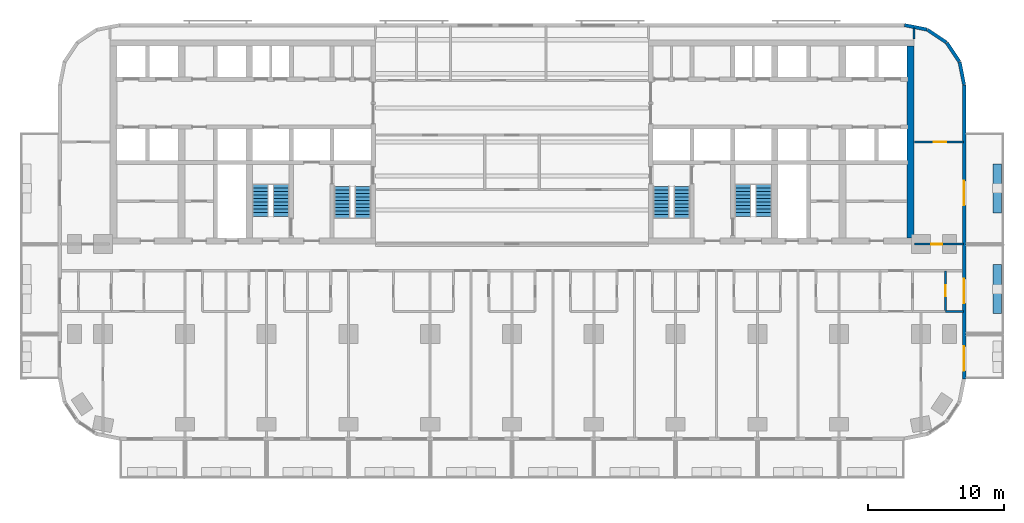
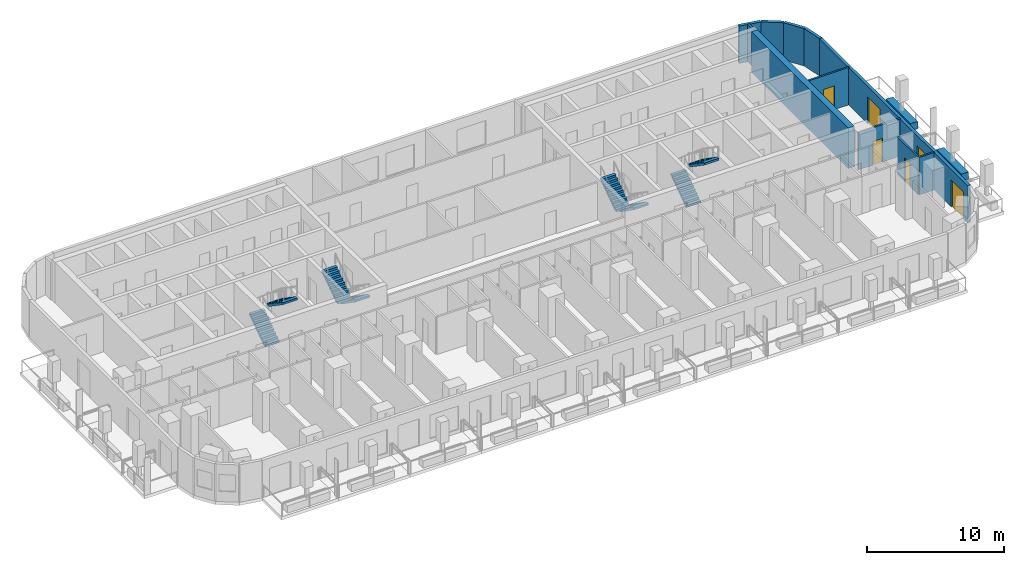
# One storey, part 10 of 15: 13 walls, 8 stair flights, 6 doors, 6 openings, 4 elements without a shape of their own.
"""IFC4 building model written with IfcOpenShell, lengths in metres."""

from ifc_helpers import new_model, si_unit, direction, frame, frame_2d, origin, place, context, subcontext, project, spatial, polyline, rectangle, outline, extrude, material, layer, layer_set, type_object, element, fill, aggregate, save


model = new_model("IFC4")

# Units and contexts
model_context = context("Model", 3, precision=1e-05, world=origin(), true_north=direction((0.0, 1.0)))
body_context = subcontext(model_context, "Body", "Model", "MODEL_VIEW")
ifc_project = project(units=[si_unit("LENGTHUNIT", "METRE"), si_unit("AREAUNIT", "SQUARE_METRE"), si_unit("VOLUMEUNIT", "CUBIC_METRE"), si_unit("PLANEANGLEUNIT", "RADIAN"), si_unit("MASSUNIT", "GRAM", prefix="KILO")], contexts=[model_context])

# Site, building, storey
site_placement = place(None, origin())
site = spatial("IfcSite", under=ifc_project, at=site_placement, CompositionType="ELEMENT")
building_placement = place(site_placement, origin())
building = spatial("IfcBuilding", under=site, at=building_placement, Name="Torana Hotel and Residences", CompositionType="ELEMENT")
storey_placement = place(building_placement, frame((0.0, 0.0, 27.60009765625)))
storey = spatial("IfcBuildingStorey", under=building, at=storey_placement, Name="L05", CompositionType="ELEMENT", Elevation=27.60009765625)

# Walls
ifc_material_1 = material(Name="Concrete C80/95", Category="concrete")
ifc_layer_1 = layer(ifc_material_1, 0.5)
ifc_layer_set_1 = layer_set([ifc_layer_1], Name="CORE WALL 500 C80/95")
wall_type_1 = type_object("IfcWallType", Name="CORE WALL 500 C80/95", PredefinedType="SHEAR", material=ifc_layer_set_1)
wall_1_placement = place(storey_placement, frame((29.25, -14.550048828125, 0.0), z_axis=(0.0, 0.0, 1.0), x_axis=(0.0, 1.0, 0.0)))
element("IfcWall", 1, at=wall_1_placement, inside=storey, type_object=wall_type_1, Name="Core wall E outer", PredefinedType="SHEAR", context=body_context, shape_type="SweptSolid", body=[
    extrude(rectangle(XDim=14.10009765625, YDim=0.5, at=frame_2d((7.050048828125, 0.0))), origin(), (0.0, 0.0, 1.0), 3.599853515625),
])
ifc_material_2 = material(Name="Black aluminium composite panel", Category="aluminium")
ifc_layer_2 = layer(ifc_material_2, 0.00390625, Name="Cladding", Category="cladding")
ifc_material_3 = material(Name="Ventilated air cavity")
ifc_layer_3 = layer(ifc_material_3, 0.0400390625, Name="Ventilated cavity", Category="cavity")
ifc_material_4 = material(Name="Mineral wool insulation")
ifc_layer_4 = layer(ifc_material_4, 0.090087890625, Name="Insulation", Category="insulation")
ifc_material_5 = material(Name="Steel S280GD", Category="steel")
ifc_layer_5 = layer(ifc_material_5, 0.092041015625, Name="Steel stud frame", Category="structure")
ifc_material_6 = material(Name="Fire rated plasterboard")
ifc_layer_6 = layer(ifc_material_6, 0.011962890625, Name="Inner board", Category="finish")
ifc_layer_7 = layer(ifc_material_6, 0.011962890625, Name="Second board", Category="finish")
ifc_layer_set_2 = layer_set([ifc_layer_2, ifc_layer_3, ifc_layer_4, ifc_layer_5, ifc_layer_6, ifc_layer_7], Name="EW1 EXTERNAL WALL BLACK METAL CLAD 250")
wall_type_2 = type_object("IfcWallType", Name="EW1 EXTERNAL WALL BLACK METAL CLAD 250", PredefinedType="SOLIDWALL", material=ifc_layer_set_2)
wall_2_placement = place(storey_placement, frame((33.172607421875, -3.30029296875, 0.0), z_axis=(0.0, 0.0, 1.0), x_axis=(-0.19513878023, 0.980775640221, 0.0)))
element("IfcWall", 2, at=wall_2_placement, inside=storey, type_object=wall_type_2, Name="External wall L05 e0.0", PredefinedType="SOLIDWALL", context=body_context, shape_type="SweptSolid", body=[
    extrude(rectangle(XDim=1.681396484375, YDim=0.25, at=frame_2d((0.8408203125, 0.0))), origin(), (0.0, 0.0, 1.0), 3.31982421875),
])
for number, where, z_axis, x_axis, name in (
    (3, (32.825927734375, -1.60595703125, 0.0), (0.0, 0.0, 1.0), (-0.55555029066, 0.831482937015, 0.0), "External wall L05 e0.1"),
    (4, (31.87109375, -0.1943359375, 0.0), (0.0, 0.0, 1.0), (-0.831482937015, 0.55555029066, 0.0), "External wall L05 e0.2"),
):
    element("IfcWall", number, at=place(storey_placement, frame(where, z_axis=z_axis, x_axis=x_axis)), inside=storey, type_object=wall_type_2, Name=name, PredefinedType="SOLIDWALL", context=body_context, shape_type="SweptSolid", body=[
        extrude(rectangle(XDim=1.65625, YDim=0.25, at=frame_2d((0.828125, 0.0))), origin(), (0.0, 0.0, 1.0), 3.31982421875),
    ])
wall_3_placement = place(storey_placement, frame((30.448974609375, 0.74462890625, 0.0), z_axis=(0.0, 0.0, 1.0), x_axis=(-0.980803419081, 0.194999110559, 0.0)))
element("IfcWall", 5, at=wall_3_placement, inside=storey, type_object=wall_type_2, Name="External wall L05 e0.3", PredefinedType="SOLIDWALL", context=body_context, shape_type="SweptSolid", body=[
    extrude(rectangle(XDim=1.681396484375, YDim=0.25, at=frame_2d((0.8408203125, 0.0))), origin(), (0.0, 0.0, 1.0), 3.31982421875),
])

# Wall, openings, doors
wall_4_placement = place(storey_placement, frame((33.175048828125, -24.87548828125, 0.0), z_axis=(0.0, 0.0, 1.0), x_axis=(0.0, 1.0, 0.0)))
wall_4 = element("IfcWall", 6, at=wall_4_placement, inside=storey, type_object=wall_type_2, Name="External wall L05 e0.19", PredefinedType="SOLIDWALL", context=body_context, shape_type="SweptSolid", body=[
    extrude(rectangle(XDim=21.55078125, YDim=0.25, at=frame_2d((10.775390625, 0.0))), origin(), (0.0, 0.0, 1.0), 3.31982421875),
])
opening_1_placement = place(wall_4_placement, frame((0.575439453125, 0.0, 0.0)))
opening_1 = element("IfcOpeningElement", 7, at=opening_1_placement, cuts=wall_4, Name="Opening L05-E11", PredefinedType="OPENING", context=body_context, shape_type="SweptSolid", body=[
    extrude(rectangle(XDim=1.800048828125, YDim=2.39990234375, at=frame_2d((0.89990234375, 1.199951171875))), frame((0.0, 0.135009765625, 0.0), z_axis=(0.0, -1.0, 0.0), x_axis=(1.0, 0.0, 0.0)), (0.0, 0.0, 1.0), 0.27001953125),
])
opening_2_placement = place(wall_4_placement, frame((5.525390625, 0.0, 0.0)))
opening_2 = element("IfcOpeningElement", 8, at=opening_2_placement, cuts=wall_4, Name="Opening L05-E12", PredefinedType="OPENING", context=body_context, shape_type="SweptSolid", body=[
    extrude(rectangle(XDim=1.800048828125, YDim=2.39990234375, at=frame_2d((0.89990234375, 1.199951171875))), frame((0.0, 0.135009765625, 0.0), z_axis=(0.0, -1.0, 0.0), x_axis=(1.0, 0.0, 0.0)), (0.0, 0.0, 1.0), 0.27001953125),
])
opening_3_placement = place(wall_4_placement, frame((12.725341796875, 0.0, 0.0)))
opening_3 = element("IfcOpeningElement", 9, at=opening_3_placement, cuts=wall_4, Name="Opening L05-E13", PredefinedType="OPENING", context=body_context, shape_type="SweptSolid", body=[
    extrude(rectangle(XDim=1.800048828125, YDim=2.39990234375, at=frame_2d((0.89990234375, 1.199951171875))), frame((0.0, 0.135009765625, 0.0), z_axis=(0.0, -1.0, 0.0), x_axis=(1.0, 0.0, 0.0)), (0.0, 0.0, 1.0), 0.27001953125),
])
ifc_material_7 = material(Name="Dark glass in black aluminium frame", Category="aluminium")
door_type_1 = type_object("IfcDoorType", Name="DB1 BALCONY DOOR 1800x2400", OperationType="DOUBLE_DOOR_SINGLE_SWING", PredefinedType="DOOR", material=ifc_material_7)
door_1_placement = place(opening_1_placement, origin())
door_1 = element("IfcDoor", 10, at=door_1_placement, inside=storey, type_object=door_type_1, Name="Balcony door L05", OperationType="DOUBLE_DOOR_SINGLE_SWING", OverallHeight=2.39990234375, OverallWidth=1.800048828125, PredefinedType="DOOR", context=body_context, shape_type="SweptSolid", body=[
    extrude(rectangle(XDim=1.800048828125, YDim=2.39990234375, at=frame_2d((0.89990234375, 1.199951171875))), frame((0.0, 0.02490234375, 0.0), z_axis=(0.0, -1.0, 0.0), x_axis=(1.0, 0.0, 0.0)), (0.0, 0.0, 1.0), 0.050048828125),
])
fill(opening_1, door_1)
door_2_placement = place(opening_2_placement, origin())
door_2 = element("IfcDoor", 11, at=door_2_placement, inside=storey, type_object=door_type_1, Name="Balcony door L05", OperationType="DOUBLE_DOOR_SINGLE_SWING", OverallHeight=2.39990234375, OverallWidth=1.800048828125, PredefinedType="DOOR", context=body_context, shape_type="SweptSolid", body=[
    extrude(rectangle(XDim=1.800048828125, YDim=2.39990234375, at=frame_2d((0.89990234375, 1.199951171875))), frame((0.0, 0.02490234375, 0.0), z_axis=(0.0, -1.0, 0.0), x_axis=(1.0, 0.0, 0.0)), (0.0, 0.0, 1.0), 0.050048828125),
])
fill(opening_2, door_2)
door_3_placement = place(opening_3_placement, origin())
door_3 = element("IfcDoor", 12, at=door_3_placement, inside=storey, type_object=door_type_1, Name="Balcony door L05", OperationType="DOUBLE_DOOR_SINGLE_SWING", OverallHeight=2.39990234375, OverallWidth=1.800048828125, PredefinedType="DOOR", context=body_context, shape_type="SweptSolid", body=[
    extrude(rectangle(XDim=1.800048828125, YDim=2.39990234375, at=frame_2d((0.89990234375, 1.199951171875))), frame((0.0, 0.02490234375, 0.0), z_axis=(0.0, -1.0, 0.0), x_axis=(1.0, 0.0, 0.0)), (0.0, 0.0, 1.0), 0.050048828125),
])
fill(opening_3, door_3)

# Wall, opening, door
ifc_material_8 = material(Name="Gypsum plaster")
ifc_layer_8 = layer(ifc_material_8, 0.014892578125, Name="Plaster", Category="finish")
ifc_material_9 = material(Name="Concrete blockwork", Category="masonry")
ifc_layer_9 = layer(ifc_material_9, 0.1201171875, Name="Blockwork", Category="structure")
ifc_layer_10 = layer(ifc_material_8, 0.014892578125, Name="Plaster", Category="finish")
ifc_layer_set_3 = layer_set([ifc_layer_8, ifc_layer_9, ifc_layer_10], Name="FIRE PARTITION 150 BLOCKWORK")
wall_type_3 = type_object("IfcWallType", Name="FIRE PARTITION 150 BLOCKWORK", PredefinedType="PARTITIONING", material=ifc_layer_set_3)
wall_5_placement = place(storey_placement, frame((29.550048828125, -15.0, 0.0), z_axis=(0.0, 0.0, 1.0), x_axis=(1.0, 0.0, 0.0)))
wall_5 = element("IfcWall", 13, at=wall_5_placement, inside=storey, type_object=wall_type_3, Name="Partition L05", PredefinedType="PARTITIONING", context=body_context, shape_type="SweptSolid", body=[
    extrude(rectangle(XDim=3.570068359375, YDim=0.14990234375, at=frame_2d((1.78515625, 0.0))), origin(), (0.0, 0.0, 1.0), 3.31982421875),
])
opening_4_placement = place(wall_5_placement, frame((1.205078125, 0.0, 0.0)))
opening_4 = element("IfcOpeningElement", 14, at=opening_4_placement, cuts=wall_5, Name="Opening L05-58", PredefinedType="OPENING", context=body_context, shape_type="SweptSolid", body=[
    extrude(rectangle(XDim=0.800048828125, YDim=2.10009765625, at=frame_2d((0.39990234375, 1.050048828125))), frame((0.0, 0.0849609375, 0.0), z_axis=(0.0, -1.0, 0.0), x_axis=(1.0, 0.0, 0.0)), (0.0, 0.0, 1.0), 0.169921875),
])
ifc_material_10 = material(Name="Steel S235", Category="steel")
door_type_2 = type_object("IfcDoorType", Name="STORE FIRE DOOR D16 800x2100", OperationType="SINGLE_SWING_LEFT", PredefinedType="DOOR", material=ifc_material_10)
door_4_placement = place(opening_4_placement, origin())
door_4 = element("IfcDoor", 15, at=door_4_placement, inside=storey, type_object=door_type_2, Name="Door L05", OperationType="SINGLE_SWING_RIGHT", OverallHeight=2.10009765625, OverallWidth=0.800048828125, PredefinedType="DOOR", context=body_context, shape_type="SweptSolid", body=[
    extrude(rectangle(XDim=0.800048828125, YDim=2.10009765625, at=frame_2d((0.39990234375, 1.050048828125))), frame((0.0, 0.02490234375, 0.0), z_axis=(0.0, -1.0, 0.0), x_axis=(1.0, 0.0, 0.0)), (0.0, 0.0, 1.0), 0.050048828125),
])
fill(opening_4, door_4)

# Walls
ifc_material_11 = material(Name="Gypsum plasterboard")
ifc_layer_11 = layer(ifc_material_11, 0.012451171875, Name="Plasterboard", Category="finish")
ifc_layer_12 = layer(ifc_material_11, 0.012451171875, Name="Plasterboard", Category="finish")
ifc_layer_13 = layer(ifc_material_5, 0.10009765625, Name="Steel studs with mineral wool", Category="insulation")
ifc_layer_14 = layer(ifc_material_11, 0.012451171875, Name="Plasterboard", Category="finish")
ifc_layer_15 = layer(ifc_material_11, 0.012451171875, Name="Plasterboard", Category="finish")
ifc_layer_set_4 = layer_set([ifc_layer_11, ifc_layer_12, ifc_layer_13, ifc_layer_14, ifc_layer_15], Name="PARTITION 150 PLASTERBOARD")
wall_type_4 = type_object("IfcWallType", Name="PARTITION 150 PLASTERBOARD", PredefinedType="PARTITIONING", material=ifc_layer_set_4)
wall_6_placement = place(storey_placement, frame((29.5, 0.050048828125, 0.0), z_axis=(0.0, 0.0, 1.0), x_axis=(0.0, 1.0, 0.0)))
element("IfcWall", 16, at=wall_6_placement, inside=storey, type_object=wall_type_4, Name="Partition L05", PredefinedType="PARTITIONING", context=body_context, shape_type="SweptSolid", body=[
    extrude(rectangle(XDim=0.8271484375, YDim=0.14990234375, at=frame_2d((0.41357421875, 0.0))), origin(), (0.0, 0.0, 1.0), 3.31982421875),
])
ifc_material_12 = material(Name="Concrete C40/50 precast", Category="concrete")
ifc_layer_16 = layer(ifc_material_12, 0.10009765625, Name="Planter shell", Category="structure")
ifc_material_13 = material(Name="Root resistant membrane")
ifc_layer_17 = layer(ifc_material_13, 0.00390625, Name="Waterproofing membrane", Category="membrane")
ifc_material_14 = material(Name="Drainage board with filter fleece")
ifc_layer_18 = layer(ifc_material_14, 0.02001953125, Name="Drainage board", Category="drainage")
ifc_material_15 = material(Name="Growing medium")
ifc_layer_19 = layer(ifc_material_15, 0.47607421875, Name="Planting substrate", Category="soil")
ifc_layer_set_5 = layer_set([ifc_layer_16, ifc_layer_17, ifc_layer_18, ifc_layer_19], Name="PL1 BALCONY PLANTER 600")
wall_type_5 = type_object("IfcWallType", Name="PL1 BALCONY PLANTER 600", PredefinedType="USERDEFINED", material=ifc_layer_set_5)
wall_7_placement = place(storey_placement, frame((35.60009765625, -16.5, 0.0), z_axis=(0.0, 0.0, 1.0), x_axis=(0.0, -1.0, 0.0)))
element("IfcWall", 17, at=wall_7_placement, inside=storey, type_object=wall_type_5, Name="Planter 15", ObjectType="PLANTER", PredefinedType="USERDEFINED", context=body_context, shape_type="SweptSolid", body=[
    extrude(rectangle(XDim=3.60009765625, YDim=0.60009765625, at=frame_2d((1.800048828125, 0.0))), origin(), (0.0, 0.0, 1.0), 0.64990234375),
])
wall_8_placement = place(storey_placement, frame((35.60009765625, -9.10009765625, 0.0), z_axis=(0.0, 0.0, 1.0), x_axis=(0.0, -1.0, 0.0)))
element("IfcWall", 18, at=wall_8_placement, inside=storey, type_object=wall_type_5, Name="Planter 16", ObjectType="PLANTER", PredefinedType="USERDEFINED", context=body_context, shape_type="SweptSolid", body=[
    extrude(rectangle(XDim=3.599853515625, YDim=0.60009765625, at=frame_2d((1.7998046875, 0.0))), origin(), (0.0, 0.0, 1.0), 0.64990234375),
])

# Wall, opening, door
ifc_material_16 = material(Name="Ceramic tile on adhesive")
ifc_layer_20 = layer(ifc_material_16, 0.010009765625, Name="Wall tile", Category="finish")
ifc_material_17 = material(Name="Cement render")
ifc_layer_21 = layer(ifc_material_17, 0.010009765625, Name="Render", Category="finish")
ifc_layer_22 = layer(ifc_material_9, 0.110107421875, Name="Blockwork", Category="structure")
ifc_layer_23 = layer(ifc_material_17, 0.010009765625, Name="Render", Category="finish")
ifc_layer_24 = layer(ifc_material_16, 0.010009765625, Name="Wall tile", Category="finish")
ifc_layer_set_6 = layer_set([ifc_layer_20, ifc_layer_21, ifc_layer_22, ifc_layer_23, ifc_layer_24], Name="WC PARTITION 150")
wall_type_6 = type_object("IfcWallType", Name="WC PARTITION 150", PredefinedType="PLUMBINGWALL", material=ifc_layer_set_6)
wall_9_placement = place(storey_placement, frame((31.800048828125, -19.949951171875, 0.0), z_axis=(0.0, 0.0, 1.0), x_axis=(0.0, 1.0, 0.0)))
wall_9 = element("IfcWall", 19, at=wall_9_placement, inside=storey, type_object=wall_type_6, Name="Partition L05", PredefinedType="PLUMBINGWALL", context=body_context, shape_type="SweptSolid", body=[
    extrude(rectangle(XDim=3.0, YDim=0.14990234375, at=frame_2d((1.5, 0.0))), origin(), (0.0, 0.0, 1.0), 3.31982421875),
])
opening_5_placement = place(wall_9_placement, frame((1.1201171875, 0.0, 0.0)))
opening_5 = element("IfcOpeningElement", 20, at=opening_5_placement, cuts=wall_9, Name="Opening L05-90", PredefinedType="OPENING", context=body_context, shape_type="SweptSolid", body=[
    extrude(rectangle(XDim=0.800048828125, YDim=2.10009765625, at=frame_2d((0.39990234375, 1.050048828125))), frame((0.0, 0.0849609375, 0.0), z_axis=(0.0, -1.0, 0.0), x_axis=(1.0, 0.0, 0.0)), (0.0, 0.0, 1.0), 0.169921875),
])
ifc_material_18 = material(Name="Timber door, painted", Category="wood")
door_type_3 = type_object("IfcDoorType", Name="BATH DOOR D13 800x2100", OperationType="SINGLE_SWING_LEFT", PredefinedType="DOOR", material=ifc_material_18)
door_5_placement = place(opening_5_placement, origin())
door_5 = element("IfcDoor", 21, at=door_5_placement, inside=storey, type_object=door_type_3, Name="Door L05", OperationType="SINGLE_SWING_RIGHT", OverallHeight=2.10009765625, OverallWidth=0.800048828125, PredefinedType="DOOR", context=body_context, shape_type="SweptSolid", body=[
    extrude(rectangle(XDim=0.800048828125, YDim=2.10009765625, at=frame_2d((0.39990234375, 1.050048828125))), frame((0.0, 0.02490234375, 0.0), z_axis=(0.0, -1.0, 0.0), x_axis=(1.0, 0.0, 0.0)), (0.0, 0.0, 1.0), 0.050048828125),
])
fill(opening_5, door_5)

# Wall
wall_10_placement = place(storey_placement, frame((31.800048828125, -19.949951171875, 0.0), z_axis=(0.0, 0.0, 1.0), x_axis=(1.0, 0.0, 0.0)))
element("IfcWall", 22, at=wall_10_placement, inside=storey, type_object=wall_type_6, Name="Partition L05", PredefinedType="PLUMBINGWALL", context=body_context, shape_type="SweptSolid", body=[
    extrude(rectangle(XDim=1.320068359375, YDim=0.14990234375, at=frame_2d((0.66015625, 0.0))), origin(), (0.0, 0.0, 1.0), 3.31982421875),
])

# Wall, opening, door
wall_11_placement = place(storey_placement, frame((29.550048828125, -7.5, 0.0), z_axis=(0.0, 0.0, 1.0), x_axis=(1.0, 0.0, 0.0)))
wall_11 = element("IfcWall", 23, at=wall_11_placement, inside=storey, type_object=wall_type_6, Name="Partition L05", PredefinedType="PLUMBINGWALL", context=body_context, shape_type="SweptSolid", body=[
    extrude(rectangle(XDim=3.570068359375, YDim=0.14990234375, at=frame_2d((1.78515625, 0.0))), origin(), (0.0, 0.0, 1.0), 3.31982421875),
])
opening_6_placement = place(wall_11_placement, frame((1.39990234375, 0.0, 0.0)))
opening_6 = element("IfcOpeningElement", 24, at=opening_6_placement, cuts=wall_11, Name="Opening L05-93", PredefinedType="OPENING", context=body_context, shape_type="SweptSolid", body=[
    extrude(rectangle(XDim=0.89990234375, YDim=2.10009765625, at=frame_2d((0.449951171875, 1.050048828125))), frame((0.0, 0.0849609375, 0.0), z_axis=(0.0, -1.0, 0.0), x_axis=(1.0, 0.0, 0.0)), (0.0, 0.0, 1.0), 0.169921875),
])
ifc_material_19 = material(Name="Timber door, oiled ash", Category="wood")
door_type_4 = type_object("IfcDoorType", Name="ROOM DOOR D7 900x2100", OperationType="SINGLE_SWING_LEFT", PredefinedType="DOOR", material=ifc_material_19)
door_6_placement = place(opening_6_placement, origin())
door_6 = element("IfcDoor", 25, at=door_6_placement, inside=storey, type_object=door_type_4, Name="Door L05", OperationType="SINGLE_SWING_LEFT", OverallHeight=2.10009765625, OverallWidth=0.89990234375, PredefinedType="DOOR", context=body_context, shape_type="SweptSolid", body=[
    extrude(rectangle(XDim=0.89990234375, YDim=2.10009765625, at=frame_2d((0.449951171875, 1.050048828125))), frame((0.0, 0.02490234375, 0.0), z_axis=(0.0, -1.0, 0.0), x_axis=(1.0, 0.0, 0.0)), (0.0, 0.0, 1.0), 0.050048828125),
])
fill(opening_6, door_6)

# Stair, stair flights
ifc_material_20 = material(Name="Concrete C40/50 precast", Category="concrete")
stair_type_1 = type_object("IfcStairType", Name="STAIR ST1 HALF TURN 1200", PredefinedType="HALF_TURN_STAIR", material=ifc_material_20)
stair_1_placement = place(storey_placement, origin())
stair_1 = element("IfcStair", 26, at=stair_1_placement, inside=storey, type_object=stair_type_1, Name="Stair ST1 L05", PredefinedType="HALF_TURN_STAIR")
ifc_material_21 = material(Name="Concrete C40/50 precast", Category="concrete")
stair_flight_type = type_object("IfcStairFlightType", Name="STAIR FLIGHT 1200 PRECAST", PredefinedType="STRAIGHT", material=ifc_material_21)
stair_flight_1_placement = place(storey_placement, frame((-10.949951171875, -10.75, 0.0), z_axis=(0.0, 0.0, 1.0), x_axis=(0.0, -1.0, 0.0)))
stair_flight_1 = element("IfcStairFlight", 27, at=stair_flight_1_placement, type_object=stair_flight_type, Name="ST1 flight 1", NumberOfRisers=10, NumberOfTreads=9, PredefinedType="STRAIGHT", RiserHeight=0.18, TreadLength=0.26, context=body_context, shape_type="SweptSolid", body=[
    extrude(outline(polyline([(0.0, 0.0), (0.0, 0.179931640625), (0.260009765625, 0.179931640625), (0.260009765625, 0.360107421875), (0.52001953125, 0.360107421875), (0.52001953125, 0.5400390625), (0.780029296875, 0.5400390625), (0.780029296875, 0.719970703125), (1.0400390625, 0.719970703125), (1.0400390625, 0.89990234375), (1.300048828125, 0.89990234375), (1.300048828125, 1.080078125), (1.56005859375, 1.080078125), (1.56005859375, 1.260009765625), (1.820068359375, 1.260009765625), (1.820068359375, 1.43994140625), (2.080078125, 1.43994140625), (2.080078125, 1.6201171875), (2.340087890625, 1.6201171875), (2.340087890625, 1.800048828125), (2.340087890625, 1.437744140625), (0.263427734375, 0.0), (0.0, 0.0)])), frame((0.0, 0.60009765625, 0.0), z_axis=(0.0, -1.0, 0.0), x_axis=(1.0, 0.0, 0.0)), (0.0, 0.0, 1.0), 1.199951171875),
])
stair_flight_2_placement = place(storey_placement, frame((-12.449951171875, -13.090087890625, 1.7998046875), z_axis=(0.0, 0.0, 1.0), x_axis=(0.0, 1.0, 0.0)))
stair_flight_2 = element("IfcStairFlight", 28, at=stair_flight_2_placement, type_object=stair_flight_type, Name="ST1 flight 2", NumberOfRisers=10, NumberOfTreads=9, PredefinedType="STRAIGHT", RiserHeight=0.18, TreadLength=0.26, context=body_context, shape_type="SweptSolid", body=[
    extrude(outline(polyline([(0.0, 0.0), (0.0, 0.179931640625), (0.260009765625, 0.179931640625), (0.260009765625, 0.360107421875), (0.52001953125, 0.360107421875), (0.52001953125, 0.5400390625), (0.780029296875, 0.5400390625), (0.780029296875, 0.719970703125), (1.0400390625, 0.719970703125), (1.0400390625, 0.89990234375), (1.300048828125, 0.89990234375), (1.300048828125, 1.080078125), (1.56005859375, 1.080078125), (1.56005859375, 1.260009765625), (1.820068359375, 1.260009765625), (1.820068359375, 1.43994140625), (2.080078125, 1.43994140625), (2.080078125, 1.6201171875), (2.340087890625, 1.6201171875), (2.340087890625, 1.800048828125), (2.340087890625, 1.437744140625), (0.263427734375, 0.0), (0.0, 0.0)])), frame((0.0, 0.60009765625, 0.0), z_axis=(0.0, -1.0, 0.0), x_axis=(1.0, 0.0, 0.0)), (0.0, 0.0, 1.0), 1.199951171875),
])
aggregate(stair_1, [stair_flight_1, stair_flight_2])

ifc_material_22 = material(Name="Concrete C40/50 precast", Category="concrete")
stair_type_2 = type_object("IfcStairType", Name="STAIR ST2 HALF TURN 1200", PredefinedType="HALF_TURN_STAIR", material=ifc_material_22)
stair_2_placement = place(storey_placement, origin())
stair_2 = element("IfcStair", 29, at=stair_2_placement, inside=storey, type_object=stair_type_2, Name="Stair ST2 L05", PredefinedType="HALF_TURN_STAIR")
stair_flight_3_placement = place(storey_placement, frame((-18.449951171875, -12.949951171875, 0.0), z_axis=(0.0, 0.0, 1.0), x_axis=(0.0, 1.0, 0.0)))
stair_flight_3 = element("IfcStairFlight", 30, at=stair_flight_3_placement, type_object=stair_flight_type, Name="ST2 flight 1", NumberOfRisers=10, NumberOfTreads=9, PredefinedType="STRAIGHT", RiserHeight=0.18, TreadLength=0.26, context=body_context, shape_type="SweptSolid", body=[
    extrude(outline(polyline([(0.0, 0.0), (0.0, 0.179931640625), (0.260009765625, 0.179931640625), (0.260009765625, 0.360107421875), (0.52001953125, 0.360107421875), (0.52001953125, 0.5400390625), (0.780029296875, 0.5400390625), (0.780029296875, 0.719970703125), (1.0400390625, 0.719970703125), (1.0400390625, 0.89990234375), (1.300048828125, 0.89990234375), (1.300048828125, 1.080078125), (1.56005859375, 1.080078125), (1.56005859375, 1.260009765625), (1.820068359375, 1.260009765625), (1.820068359375, 1.43994140625), (2.080078125, 1.43994140625), (2.080078125, 1.6201171875), (2.340087890625, 1.6201171875), (2.340087890625, 1.800048828125), (2.340087890625, 1.437744140625), (0.263427734375, 0.0), (0.0, 0.0)])), frame((0.0, 0.60009765625, 0.0), z_axis=(0.0, -1.0, 0.0), x_axis=(1.0, 0.0, 0.0)), (0.0, 0.0, 1.0), 1.199951171875),
])
stair_flight_4_placement = place(storey_placement, frame((-16.949951171875, -10.610107421875, 1.7998046875), z_axis=(0.0, 0.0, 1.0), x_axis=(0.0, -1.0, 0.0)))
stair_flight_4 = element("IfcStairFlight", 31, at=stair_flight_4_placement, type_object=stair_flight_type, Name="ST2 flight 2", NumberOfRisers=10, NumberOfTreads=9, PredefinedType="STRAIGHT", RiserHeight=0.18, TreadLength=0.26, context=body_context, shape_type="SweptSolid", body=[
    extrude(outline(polyline([(0.0, 0.0), (0.0, 0.179931640625), (0.260009765625, 0.179931640625), (0.260009765625, 0.360107421875), (0.52001953125, 0.360107421875), (0.52001953125, 0.5400390625), (0.780029296875, 0.5400390625), (0.780029296875, 0.719970703125), (1.0400390625, 0.719970703125), (1.0400390625, 0.89990234375), (1.300048828125, 0.89990234375), (1.300048828125, 1.080078125), (1.56005859375, 1.080078125), (1.56005859375, 1.260009765625), (1.820068359375, 1.260009765625), (1.820068359375, 1.43994140625), (2.080078125, 1.43994140625), (2.080078125, 1.6201171875), (2.340087890625, 1.6201171875), (2.340087890625, 1.800048828125), (2.340087890625, 1.437744140625), (0.263427734375, 0.0), (0.0, 0.0)])), frame((0.0, 0.60009765625, 0.0), z_axis=(0.0, -1.0, 0.0), x_axis=(1.0, 0.0, 0.0)), (0.0, 0.0, 1.0), 1.199951171875),
])
aggregate(stair_2, [stair_flight_3, stair_flight_4])

ifc_material_23 = material(Name="Concrete C40/50 precast", Category="concrete")
stair_type_3 = type_object("IfcStairType", Name="STAIR ST3 HALF TURN 1200", PredefinedType="HALF_TURN_STAIR", material=ifc_material_23)
stair_3_placement = place(storey_placement, origin())
stair_3 = element("IfcStair", 32, at=stair_3_placement, inside=storey, type_object=stair_type_3, Name="Stair ST3 L05", PredefinedType="HALF_TURN_STAIR")
stair_flight_5_placement = place(storey_placement, frame((12.449951171875, -10.75, 0.0), z_axis=(0.0, 0.0, 1.0), x_axis=(0.0, -1.0, 0.0)))
stair_flight_5 = element("IfcStairFlight", 33, at=stair_flight_5_placement, type_object=stair_flight_type, Name="ST3 flight 1", NumberOfRisers=10, NumberOfTreads=9, PredefinedType="STRAIGHT", RiserHeight=0.18, TreadLength=0.26, context=body_context, shape_type="SweptSolid", body=[
    extrude(outline(polyline([(0.0, 0.0), (0.0, 0.179931640625), (0.260009765625, 0.179931640625), (0.260009765625, 0.360107421875), (0.52001953125, 0.360107421875), (0.52001953125, 0.5400390625), (0.780029296875, 0.5400390625), (0.780029296875, 0.719970703125), (1.0400390625, 0.719970703125), (1.0400390625, 0.89990234375), (1.300048828125, 0.89990234375), (1.300048828125, 1.080078125), (1.56005859375, 1.080078125), (1.56005859375, 1.260009765625), (1.820068359375, 1.260009765625), (1.820068359375, 1.43994140625), (2.080078125, 1.43994140625), (2.080078125, 1.6201171875), (2.340087890625, 1.6201171875), (2.340087890625, 1.800048828125), (2.340087890625, 1.437744140625), (0.263427734375, 0.0), (0.0, 0.0)])), frame((0.0, 0.60009765625, 0.0), z_axis=(0.0, -1.0, 0.0), x_axis=(1.0, 0.0, 0.0)), (0.0, 0.0, 1.0), 1.199951171875),
])
stair_flight_6_placement = place(storey_placement, frame((10.949951171875, -13.090087890625, 1.7998046875), z_axis=(0.0, 0.0, 1.0), x_axis=(0.0, 1.0, 0.0)))
stair_flight_6 = element("IfcStairFlight", 34, at=stair_flight_6_placement, type_object=stair_flight_type, Name="ST3 flight 2", NumberOfRisers=10, NumberOfTreads=9, PredefinedType="STRAIGHT", RiserHeight=0.18, TreadLength=0.26, context=body_context, shape_type="SweptSolid", body=[
    extrude(outline(polyline([(0.0, 0.0), (0.0, 0.179931640625), (0.260009765625, 0.179931640625), (0.260009765625, 0.360107421875), (0.52001953125, 0.360107421875), (0.52001953125, 0.5400390625), (0.780029296875, 0.5400390625), (0.780029296875, 0.719970703125), (1.0400390625, 0.719970703125), (1.0400390625, 0.89990234375), (1.300048828125, 0.89990234375), (1.300048828125, 1.080078125), (1.56005859375, 1.080078125), (1.56005859375, 1.260009765625), (1.820068359375, 1.260009765625), (1.820068359375, 1.43994140625), (2.080078125, 1.43994140625), (2.080078125, 1.6201171875), (2.340087890625, 1.6201171875), (2.340087890625, 1.800048828125), (2.340087890625, 1.437744140625), (0.263427734375, 0.0), (0.0, 0.0)])), frame((0.0, 0.60009765625, 0.0), z_axis=(0.0, -1.0, 0.0), x_axis=(1.0, 0.0, 0.0)), (0.0, 0.0, 1.0), 1.199951171875),
])
aggregate(stair_3, [stair_flight_5, stair_flight_6])

ifc_material_24 = material(Name="Concrete C40/50 precast", Category="concrete")
stair_type_4 = type_object("IfcStairType", Name="STAIR ST4 HALF TURN 1200", PredefinedType="HALF_TURN_STAIR", material=ifc_material_24)
stair_4_placement = place(storey_placement, origin())
stair_4 = element("IfcStair", 35, at=stair_4_placement, inside=storey, type_object=stair_type_4, Name="Stair ST4 L05", PredefinedType="HALF_TURN_STAIR")
stair_flight_7_placement = place(storey_placement, frame((16.949951171875, -12.949951171875, 0.0), z_axis=(0.0, 0.0, 1.0), x_axis=(0.0, 1.0, 0.0)))
stair_flight_7 = element("IfcStairFlight", 36, at=stair_flight_7_placement, type_object=stair_flight_type, Name="ST4 flight 1", NumberOfRisers=10, NumberOfTreads=9, PredefinedType="STRAIGHT", RiserHeight=0.18, TreadLength=0.26, context=body_context, shape_type="SweptSolid", body=[
    extrude(outline(polyline([(0.0, 0.0), (0.0, 0.179931640625), (0.260009765625, 0.179931640625), (0.260009765625, 0.360107421875), (0.52001953125, 0.360107421875), (0.52001953125, 0.5400390625), (0.780029296875, 0.5400390625), (0.780029296875, 0.719970703125), (1.0400390625, 0.719970703125), (1.0400390625, 0.89990234375), (1.300048828125, 0.89990234375), (1.300048828125, 1.080078125), (1.56005859375, 1.080078125), (1.56005859375, 1.260009765625), (1.820068359375, 1.260009765625), (1.820068359375, 1.43994140625), (2.080078125, 1.43994140625), (2.080078125, 1.6201171875), (2.340087890625, 1.6201171875), (2.340087890625, 1.800048828125), (2.340087890625, 1.437744140625), (0.263427734375, 0.0), (0.0, 0.0)])), frame((0.0, 0.60009765625, 0.0), z_axis=(0.0, -1.0, 0.0), x_axis=(1.0, 0.0, 0.0)), (0.0, 0.0, 1.0), 1.199951171875),
])
stair_flight_8_placement = place(storey_placement, frame((18.449951171875, -10.610107421875, 1.7998046875), z_axis=(0.0, 0.0, 1.0), x_axis=(0.0, -1.0, 0.0)))
stair_flight_8 = element("IfcStairFlight", 37, at=stair_flight_8_placement, type_object=stair_flight_type, Name="ST4 flight 2", NumberOfRisers=10, NumberOfTreads=9, PredefinedType="STRAIGHT", RiserHeight=0.18, TreadLength=0.26, context=body_context, shape_type="SweptSolid", body=[
    extrude(outline(polyline([(0.0, 0.0), (0.0, 0.179931640625), (0.260009765625, 0.179931640625), (0.260009765625, 0.360107421875), (0.52001953125, 0.360107421875), (0.52001953125, 0.5400390625), (0.780029296875, 0.5400390625), (0.780029296875, 0.719970703125), (1.0400390625, 0.719970703125), (1.0400390625, 0.89990234375), (1.300048828125, 0.89990234375), (1.300048828125, 1.080078125), (1.56005859375, 1.080078125), (1.56005859375, 1.260009765625), (1.820068359375, 1.260009765625), (1.820068359375, 1.43994140625), (2.080078125, 1.43994140625), (2.080078125, 1.6201171875), (2.340087890625, 1.6201171875), (2.340087890625, 1.800048828125), (2.340087890625, 1.437744140625), (0.263427734375, 0.0), (0.0, 0.0)])), frame((0.0, 0.60009765625, 0.0), z_axis=(0.0, -1.0, 0.0), x_axis=(1.0, 0.0, 0.0)), (0.0, 0.0, 1.0), 1.199951171875),
])
aggregate(stair_4, [stair_flight_7, stair_flight_8])

save(model, "model.ifc")
